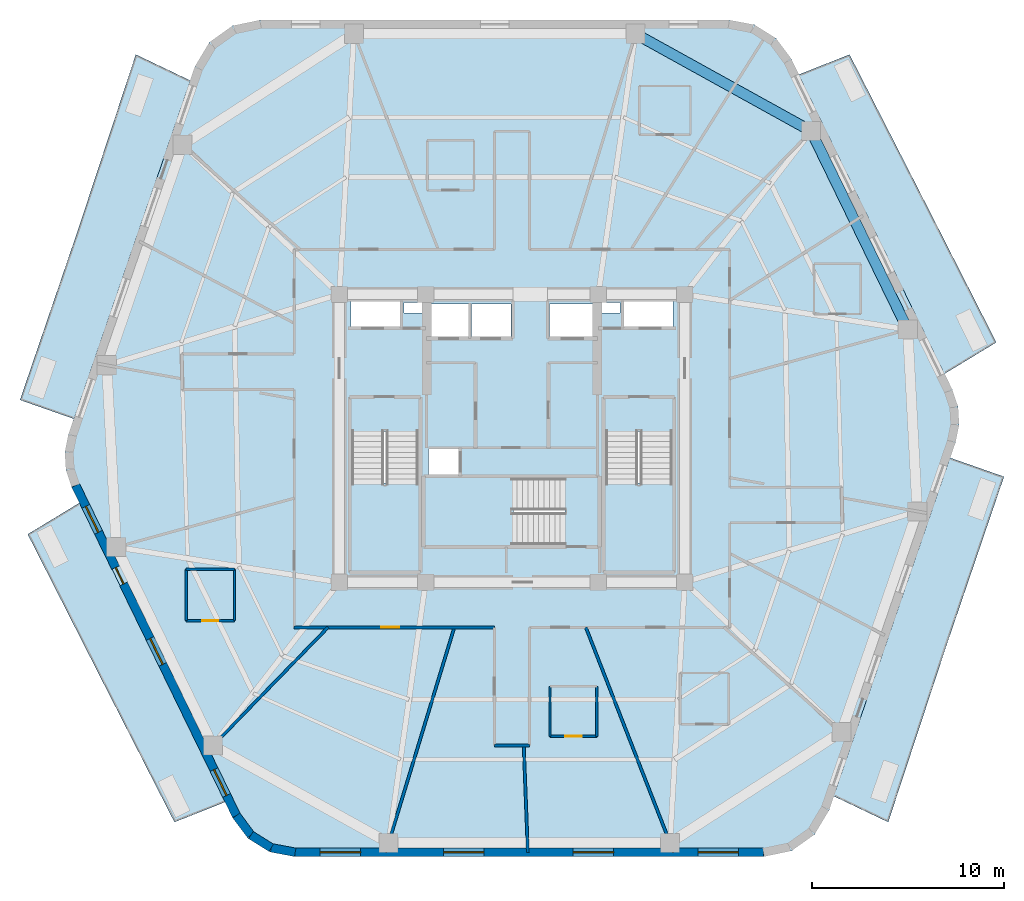
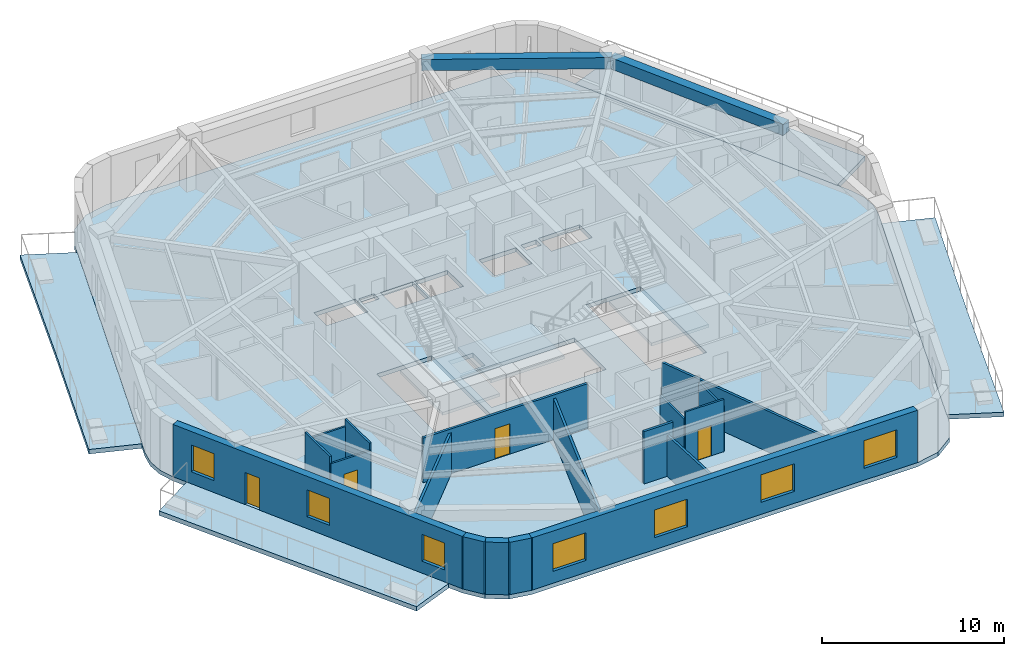
# One storey, part 2 of 9: 18 walls, 8 slabs, 7 windows, 4 doors, 2 beams, 11 openings, 3 elements without a shape of their own.
"""IFC4 building model written with IfcOpenShell, lengths in metres."""

from ifc_helpers import new_model, si_unit, direction, frame, frame_2d, origin, origin_2d, place, context, subcontext, project, spatial, polyline, rectangle, outline, extrude, material, layer, layer_set, material_profile, profile_set, type_object, element, fill, aggregate, save


model = new_model("IFC4")

# Units and contexts
model_context = context("Model", 3, precision=1e-05, world=origin(), true_north=direction((0.0, 1.0)))
body_context = subcontext(model_context, "Body", "Model", "MODEL_VIEW")
ifc_project = project(units=[si_unit("LENGTHUNIT", "METRE"), si_unit("AREAUNIT", "SQUARE_METRE"), si_unit("VOLUMEUNIT", "CUBIC_METRE"), si_unit("PLANEANGLEUNIT", "RADIAN"), si_unit("MASSUNIT", "GRAM", prefix="KILO")], contexts=[model_context])

# Site, building, storey
site_placement = place(None, origin())
site = spatial("IfcSite", under=ifc_project, at=site_placement, CompositionType="ELEMENT")
building_placement = place(site_placement, origin())
building = spatial("IfcBuilding", under=site, at=building_placement, Name="Kilnhurst Terrace Hotel", CompositionType="ELEMENT")
storey_placement = place(building_placement, frame((0.0, 0.0, 233.10009765625)))
storey = spatial("IfcBuildingStorey", under=building, at=storey_placement, Name="L58", CompositionType="ELEMENT", Elevation=233.10009765625)

# Beams
ifc_material_1 = material(Name="Concrete C50/60", Category="concrete")
ifc_material_profile = material_profile(ifc_material_1, rectangle(XDim=0.550048828125, YDim=0.75, at=origin_2d()), Name="RC550X750")
ifc_profile_set = profile_set([ifc_material_profile], Name="Concrete C50/60")
beam_type = type_object("IfcBeamType", Name="BM-SPN-550X750", PredefinedType="SPANDREL", material=ifc_profile_set)
beam_1_placement = place(storey_placement, frame((20.6220703125, 5.669921875, 3.125), z_axis=(-0.437705964683, 0.899118172701, 0.0), x_axis=(-0.899118172701, -0.437705964683, 0.0)))
element("IfcBeam", 1, at=beam_1_placement, inside=storey, type_object=beam_type, Name="L58 Perimeter Spandrel Beam 5", PredefinedType="SPANDREL", context=body_context, shape_type="SweptSolid", body=[
    extrude(rectangle(XDim=0.550048828125, YDim=0.75, at=origin_2d()), origin(), (0.0, 0.0, 1.0), 11.50341796875),
])
beam_2_placement = place(storey_placement, frame((15.5869140625, 16.012939453125, 3.125), z_axis=(-0.874970333121, 0.484176534085, 0.0), x_axis=(-0.484176534085, -0.874970333121, 0.0)))
element("IfcBeam", 2, at=beam_2_placement, inside=storey, type_object=beam_type, Name="L58 Perimeter Spandrel Beam 6", PredefinedType="SPANDREL", context=body_context, shape_type="SweptSolid", body=[
    extrude(rectangle(XDim=0.550048828125, YDim=0.75, at=origin_2d()), origin(), (0.0, 0.0, 1.0), 10.465576171875),
])

# Slabs
ifc_layer_1 = layer(ifc_material_1, 0.300048828125, Name="Concrete C50/60")
ifc_layer_set_1 = layer_set([ifc_layer_1], Name="Concrete C50/60")
slab_type_1 = type_object("IfcSlabType", Name="SLB-BAL-300", PredefinedType="FLOOR", material=ifc_layer_set_1)
slab_1_placement = place(storey_placement, frame((0.0, 0.0, -0.300048828125)))
element("IfcSlab", 3, at=slab_1_placement, inside=storey, type_object=slab_type_1, Name="L58 Cantilevered Planted Terrace Slab BAL-L1A", PredefinedType="FLOOR", context=body_context, shape_type="SweptSolid", body=[
    extrude(outline(polyline([(22.650146484375, -10.76171875), (19.604736328125, -20.0), (16.75830078125, -18.64208984375), (22.8193359375, -1.010498046875), (25.638916015625, -2.0), (22.650146484375, -10.76171875)])), origin(), (0.0, 0.0, 1.0), 0.300048828125),
])
slab_2_placement = place(storey_placement, frame((0.0, 0.0, -0.300048828125)))
element("IfcSlab", 4, at=slab_2_placement, inside=storey, type_object=slab_type_1, Name="L58 Cantilevered Planted Terrace Slab BAL-L1B", PredefinedType="FLOOR", context=body_context, shape_type="SweptSolid", body=[
    extrude(outline(polyline([(25.237548828125, 5.0), (22.527587890625, 3.356201171875), (14.93505859375, 18.95068359375), (17.5888671875, 20.0), (21.440185546875, 12.465576171875), (25.237548828125, 5.0)])), origin(), (0.0, 0.0, 1.0), 0.300048828125),
])
slab_3_placement = place(storey_placement, frame((0.0, 0.0, -0.300048828125)))
element("IfcSlab", 5, at=slab_3_placement, inside=storey, type_object=slab_type_1, Name="L58 Cantilevered Planted Terrace Slab BAL-L2A", PredefinedType="FLOOR", context=body_context, shape_type="SweptSolid", body=[
    extrude(outline(polyline([(-19.604736328125, 20.0), (-16.75830078125, 18.64208984375), (-22.8193359375, 1.010498046875), (-25.638916015625, 2.0), (-22.650146484375, 10.76171875), (-19.604736328125, 20.0)])), origin(), (0.0, 0.0, 1.0), 0.300048828125),
])
slab_4_placement = place(storey_placement, frame((0.0, 0.0, -0.300048828125)))
element("IfcSlab", 6, at=slab_4_placement, inside=storey, type_object=slab_type_1, Name="L58 Cantilevered Planted Terrace Slab BAL-L2B", PredefinedType="FLOOR", context=body_context, shape_type="SweptSolid", body=[
    extrude(outline(polyline([(-25.237548828125, -5.0), (-22.527587890625, -3.356201171875), (-14.93505859375, -18.95068359375), (-17.5888671875, -20.0), (-21.440185546875, -12.465576171875), (-25.237548828125, -5.0)])), origin(), (0.0, 0.0, 1.0), 0.300048828125),
])
ifc_layer_2 = layer(ifc_material_1, 0.280029296875, Name="Concrete C50/60")
ifc_layer_set_2 = layer_set([ifc_layer_2], Name="Concrete C50/60")
slab_type_2 = type_object("IfcSlabType", Name="SLB-FLR-280", PredefinedType="FLOOR", material=ifc_layer_set_2)
slab_5_placement = place(storey_placement, frame((0.0, 0.0, -0.280029296875)))
element("IfcSlab", 7, at=slab_5_placement, inside=storey, type_object=slab_type_2, Name="L58 Structural Floor Slab", PredefinedType="FLOOR", context=body_context, shape_type="SweptSolid", body=[
    extrude(outline(polyline([(-14.555419921875, -19.77587890625), (-13.759765625, -20.845947265625), (-12.629150390625, -21.552978515625), (-11.318603515625, -21.800048828125), (13.124755859375, -21.800048828125), (14.5703125, -21.4970703125), (15.772705078125, -20.638916015625), (16.529296875, -19.370361328125), (23.1162109375, -0.208740234375), (23.302978515625, 0.710693359375), (23.24560546875, 1.6474609375), (22.948486328125, 2.537353515625), (14.555419921875, 19.77587890625), (13.759765625, 20.845947265625), (12.629150390625, 21.552978515625), (11.318603515625, 21.800048828125), (-13.124755859375, 21.800048828125), (-14.5703125, 21.4970703125), (-15.772705078125, 20.638916015625), (-16.529296875, 19.370361328125), (-23.1162109375, 0.208740234375), (-23.302978515625, -0.710693359375), (-23.24560546875, -1.6474609375), (-22.948486328125, -2.537353515625), (-14.555419921875, -19.77587890625)]), holes=[polyline([(-8.35009765625, 0.35498046875), (-4.8798828125, 0.35498046875), (-4.8798828125, -6.89990234375), (-8.35009765625, -6.89990234375), (-8.35009765625, 0.35498046875)]), polyline([(-2.800048828125, -1.89990234375), (-4.35009765625, -1.89990234375), (-4.35009765625, -0.550048828125), (-2.800048828125, -0.550048828125), (-2.800048828125, -1.89990234375)]), polyline([(-2.25, 5.25), (-4.300048828125, 5.25), (-4.300048828125, 7.0), (-2.25, 7.0), (-2.25, 5.25)]), polyline([(-2.1201171875, 5.25), (-2.1201171875, 7.0), (-0.050048828125, 7.0), (-0.050048828125, 5.25), (-2.1201171875, 5.25)]), polyline([(-8.39990234375, 5.75), (-8.39990234375, 7.14990234375), (-5.800048828125, 7.14990234375), (-5.800048828125, 5.75), (-8.39990234375, 5.75)]), polyline([(-4.659912109375, 6.52001953125), (-5.6201171875, 6.52001953125), (-5.6201171875, 7.080078125), (-4.659912109375, 7.080078125), (-4.659912109375, 6.52001953125)]), polyline([(2.7548828125, -5.550048828125), (-4.5, -5.550048828125), (-4.5, -2.080078125), (2.7548828125, -2.080078125), (2.7548828125, -5.550048828125)]), polyline([(8.35009765625, 0.35498046875), (8.35009765625, -6.89990234375), (4.8798828125, -6.89990234375), (4.8798828125, 0.35498046875), (8.35009765625, 0.35498046875)]), polyline([(4.300048828125, 5.25), (1.949951171875, 5.25), (1.949951171875, 7.0), (4.300048828125, 7.0), (4.300048828125, 5.25)]), polyline([(5.800048828125, 5.75), (5.800048828125, 7.14990234375), (8.39990234375, 7.14990234375), (8.39990234375, 5.75), (5.800048828125, 5.75)]), polyline([(4.659912109375, 6.52001953125), (4.659912109375, 7.080078125), (5.6201171875, 7.080078125), (5.6201171875, 6.52001953125), (4.659912109375, 6.52001953125)])]), origin(), (0.0, 0.0, 1.0), 0.280029296875),
])

# Stair, slab
stair_type = type_object("IfcStairType", Name="STR-CORE-1660", PredefinedType="HALF_TURN_STAIR", material=ifc_material_1)
stair_1_placement = place(storey_placement, origin())
stair_1 = element("IfcStair", 8, at=stair_1_placement, inside=storey, type_object=stair_type, Name="L58 ST-1", PredefinedType="HALF_TURN_STAIR")
ifc_layer_3 = layer(ifc_material_1, 0.199951171875, Name="Concrete C50/60")
ifc_layer_set_3 = layer_set([ifc_layer_3], Name="Concrete C50/60")
slab_type_3 = type_object("IfcSlabType", Name="SLB-ST-LND-200", PredefinedType="LANDING", material=ifc_layer_set_3)
slab_6_placement = place(storey_placement, frame((0.0, 0.0, 1.699951171875)))
slab_6 = element("IfcSlab", 9, at=slab_6_placement, type_object=slab_type_3, Name="ST-1 landing 1", PredefinedType="LANDING", context=body_context, shape_type="SweptSolid", body=[
    extrude(outline(polyline([(-8.429931640625, -2.330078125), (-4.800048828125, -2.330078125), (-4.800048828125, -6.97998046875), (-8.429931640625, -6.97998046875), (-8.429931640625, -2.330078125)])), origin(), (0.0, 0.0, 1.0), 0.199951171875),
])
aggregate(stair_1, [slab_6])

stair_2_placement = place(storey_placement, origin())
stair_2 = element("IfcStair", 10, at=stair_2_placement, inside=storey, type_object=stair_type, Name="L58 ST-2", PredefinedType="HALF_TURN_STAIR")
slab_7_placement = place(storey_placement, frame((0.0, 0.0, 1.699951171875)))
slab_7 = element("IfcSlab", 11, at=slab_7_placement, type_object=slab_type_3, Name="ST-2 landing 1", PredefinedType="LANDING", context=body_context, shape_type="SweptSolid", body=[
    extrude(outline(polyline([(4.800048828125, -2.330078125), (8.429931640625, -2.330078125), (8.429931640625, -6.97998046875), (4.800048828125, -6.97998046875), (4.800048828125, -2.330078125)])), origin(), (0.0, 0.0, 1.0), 0.199951171875),
])
aggregate(stair_2, [slab_7])

stair_3_placement = place(storey_placement, origin())
stair_3 = element("IfcStair", 12, at=stair_3_placement, inside=storey, type_object=stair_type, Name="L58 ST-3", PredefinedType="HALF_TURN_STAIR")
slab_8_placement = place(storey_placement, frame((0.0, 0.0, 1.699951171875)))
slab_8 = element("IfcSlab", 13, at=slab_8_placement, type_object=slab_type_3, Name="ST-3 landing 1", PredefinedType="LANDING", context=body_context, shape_type="SweptSolid", body=[
    extrude(outline(polyline([(0.070068359375, -2.0), (0.070068359375, -5.6298828125), (-4.580078125, -5.6298828125), (-4.580078125, -2.0), (0.070068359375, -2.0)])), origin(), (0.0, 0.0, 1.0), 0.199951171875),
])
aggregate(stair_3, [slab_8])

# Walls
ifc_material_2 = material(Name="Precast concrete C40/50", Category="concrete")
ifc_layer_4 = layer(ifc_material_2, 0.449951171875, Name="Precast concrete C40/50")
ifc_layer_set_4 = layer_set([ifc_layer_4], Name="Precast concrete C40/50")
wall_type_1 = type_object("IfcWallType", Name="WL-BRK-450", PredefinedType="SOLIDWALL", material=ifc_layer_set_4)
wall_1_placement = place(storey_placement, frame((-14.3623046875, -19.658447265625, 0.0), z_axis=(0.0, 0.0, 1.0), x_axis=(0.596642462792, -0.80250717853, 0.0)))
element("IfcWall", 14, at=wall_1_placement, inside=storey, type_object=wall_type_1, Name="L58 Rounded Corner Brick Wall C1.1", PredefinedType="SOLIDWALL", context=body_context, shape_type="SweptSolid", body=[
    extrude(rectangle(XDim=1.27001953125, YDim=0.449951171875, at=frame_2d((0.635009765625, 0.0))), origin(), (0.0, 0.0, 1.0), 3.5),
])
wall_2_placement = place(storey_placement, frame((-13.6044921875, -20.677734375, 0.0), z_axis=(0.0, 0.0, 1.0), x_axis=(0.847910404124, -0.53013955387, 0.0)))
element("IfcWall", 15, at=wall_2_placement, inside=storey, type_object=wall_type_1, Name="L58 Rounded Corner Brick Wall C1.2", PredefinedType="SOLIDWALL", context=body_context, shape_type="SweptSolid", body=[
    extrude(rectangle(XDim=1.24853515625, YDim=0.449951171875, at=frame_2d((0.624267578125, 0.0))), origin(), (0.0, 0.0, 1.0), 3.5),
])
wall_3_placement = place(storey_placement, frame((-12.5458984375, -21.339599609375, 0.0), z_axis=(0.0, 0.0, 1.0), x_axis=(0.982686750835, -0.18527479519, 0.0)))
element("IfcWall", 16, at=wall_3_placement, inside=storey, type_object=wall_type_1, Name="L58 Rounded Corner Brick Wall C1.3", PredefinedType="SOLIDWALL", context=body_context, shape_type="SweptSolid", body=[
    extrude(rectangle(XDim=1.270263671875, YDim=0.449951171875, at=frame_2d((0.63525390625, 0.0))), origin(), (0.0, 0.0, 1.0), 3.5),
])

# Wall, openings, windows
wall_4_placement = place(storey_placement, frame((-11.297607421875, -21.574951171875, 0.0), z_axis=(0.0, 0.0, 1.0), x_axis=(1.0, 0.0, 0.0)))
wall_4 = element("IfcWall", 17, at=wall_4_placement, inside=storey, type_object=wall_type_1, Name="L58 Exterior Brick Facade Wall F1", PredefinedType="SOLIDWALL", context=body_context, shape_type="SweptSolid", body=[
    extrude(rectangle(XDim=24.399169921875, YDim=0.449951171875, at=frame_2d((12.19970703125, 0.0))), origin(), (0.0, 0.0, 1.0), 3.5),
])
opening_1_placement = place(wall_4_placement, frame((1.303955078125, 0.0, 0.800048828125)))
opening_1 = element("IfcOpeningElement", 18, at=opening_1_placement, cuts=wall_4, Name="Opening W-04", PredefinedType="OPENING", context=body_context, shape_type="SweptSolid", body=[
    extrude(rectangle(XDim=2.10009765625, YDim=1.85009765625, at=frame_2d((1.050048828125, 0.925048828125))), frame((0.0, 0.23486328125, 0.0), z_axis=(0.0, -1.0, 0.0), x_axis=(1.0, 0.0, 0.0)), (0.0, 0.0, 1.0), 0.469970703125),
])
opening_2_placement = place(wall_4_placement, frame((7.735107421875, 0.0, 0.800048828125)))
opening_2 = element("IfcOpeningElement", 19, at=opening_2_placement, cuts=wall_4, Name="Opening W-04", PredefinedType="OPENING", context=body_context, shape_type="SweptSolid", body=[
    extrude(rectangle(XDim=2.10009765625, YDim=1.85009765625, at=frame_2d((1.050048828125, 0.925048828125))), frame((0.0, 0.23486328125, 0.0), z_axis=(0.0, -1.0, 0.0), x_axis=(1.0, 0.0, 0.0)), (0.0, 0.0, 1.0), 0.469970703125),
])
opening_3_placement = place(wall_4_placement, frame((14.488037109375, 0.0, 0.800048828125)))
opening_3 = element("IfcOpeningElement", 20, at=opening_3_placement, cuts=wall_4, Name="Opening W-04", PredefinedType="OPENING", context=body_context, shape_type="SweptSolid", body=[
    extrude(rectangle(XDim=2.10009765625, YDim=1.85009765625, at=frame_2d((1.050048828125, 0.925048828125))), frame((0.0, 0.23486328125, 0.0), z_axis=(0.0, -1.0, 0.0), x_axis=(1.0, 0.0, 0.0)), (0.0, 0.0, 1.0), 0.469970703125),
])
opening_4_placement = place(wall_4_placement, frame((20.99609375, 0.0, 0.800048828125)))
opening_4 = element("IfcOpeningElement", 21, at=opening_4_placement, cuts=wall_4, Name="Opening W-04", PredefinedType="OPENING", context=body_context, shape_type="SweptSolid", body=[
    extrude(rectangle(XDim=2.10009765625, YDim=1.85009765625, at=frame_2d((1.050048828125, 0.925048828125))), frame((0.0, 0.23486328125, 0.0), z_axis=(0.0, -1.0, 0.0), x_axis=(1.0, 0.0, 0.0)), (0.0, 0.0, 1.0), 0.469970703125),
])
ifc_material_3 = material(Name="Thermally Broken Bronze Aluminium Alloy 6063-T6 and Low-E Glass", Category="aluminium")
window_type_1 = type_object("IfcWindowType", Name="WIN-2100X1850", PartitioningType="SINGLE_PANEL", PredefinedType="WINDOW", material=ifc_material_3)
window_1_placement = place(opening_1_placement, origin())
window_1 = element("IfcWindow", 22, at=window_1_placement, inside=storey, type_object=window_type_1, Name="L58 Deep-Set Masonry Window F1.1", OverallHeight=1.85009765625, OverallWidth=2.10009765625, PartitioningType="SINGLE_PANEL", PredefinedType="WINDOW", context=body_context, shape_type="SweptSolid", body=[
    extrude(rectangle(XDim=2.10009765625, YDim=1.85009765625, at=frame_2d((1.050048828125, 0.925048828125))), frame((0.0, 0.030029296875, 0.0), z_axis=(0.0, -1.0, 0.0), x_axis=(1.0, 0.0, 0.0)), (0.0, 0.0, 1.0), 0.06005859375),
])
fill(opening_1, window_1)
window_2_placement = place(opening_2_placement, origin())
window_2 = element("IfcWindow", 23, at=window_2_placement, inside=storey, type_object=window_type_1, Name="L58 Deep-Set Masonry Window F1.2", OverallHeight=1.85009765625, OverallWidth=2.10009765625, PartitioningType="SINGLE_PANEL", PredefinedType="WINDOW", context=body_context, shape_type="SweptSolid", body=[
    extrude(rectangle(XDim=2.10009765625, YDim=1.85009765625, at=frame_2d((1.050048828125, 0.925048828125))), frame((0.0, 0.030029296875, 0.0), z_axis=(0.0, -1.0, 0.0), x_axis=(1.0, 0.0, 0.0)), (0.0, 0.0, 1.0), 0.06005859375),
])
fill(opening_2, window_2)
window_3_placement = place(opening_3_placement, origin())
window_3 = element("IfcWindow", 24, at=window_3_placement, inside=storey, type_object=window_type_1, Name="L58 Deep-Set Masonry Window F1.3", OverallHeight=1.85009765625, OverallWidth=2.10009765625, PartitioningType="SINGLE_PANEL", PredefinedType="WINDOW", context=body_context, shape_type="SweptSolid", body=[
    extrude(rectangle(XDim=2.10009765625, YDim=1.85009765625, at=frame_2d((1.050048828125, 0.925048828125))), frame((0.0, 0.030029296875, 0.0), z_axis=(0.0, -1.0, 0.0), x_axis=(1.0, 0.0, 0.0)), (0.0, 0.0, 1.0), 0.06005859375),
])
fill(opening_3, window_3)
window_4_placement = place(opening_4_placement, origin())
window_4 = element("IfcWindow", 25, at=window_4_placement, inside=storey, type_object=window_type_1, Name="L58 Deep-Set Masonry Window F1.4", OverallHeight=1.85009765625, OverallWidth=2.10009765625, PartitioningType="SINGLE_PANEL", PredefinedType="WINDOW", context=body_context, shape_type="SweptSolid", body=[
    extrude(rectangle(XDim=2.10009765625, YDim=1.85009765625, at=frame_2d((1.050048828125, 0.925048828125))), frame((0.0, 0.030029296875, 0.0), z_axis=(0.0, -1.0, 0.0), x_axis=(1.0, 0.0, 0.0)), (0.0, 0.0, 1.0), 0.06005859375),
])
fill(opening_4, window_4)

# Wall, openings, door, windows
wall_5_placement = place(storey_placement, frame((-22.73974609375, -2.4521484375, 0.0), z_axis=(0.0, 0.0, 1.0), x_axis=(0.437753424814, -0.899095066755, 0.0)))
wall_5 = element("IfcWall", 26, at=wall_5_placement, inside=storey, type_object=wall_type_1, Name="L58 Exterior Brick Facade Wall F6", PredefinedType="SOLIDWALL", context=body_context, shape_type="SweptSolid", body=[
    extrude(rectangle(XDim=19.137451171875, YDim=0.449951171875, at=frame_2d((9.56884765625, 0.0))), origin(), (0.0, 0.0, 1.0), 3.5),
])
opening_5_placement = place(wall_5_placement, frame((4.762939453125, 0.0, 0.0)))
opening_5 = element("IfcOpeningElement", 27, at=opening_5_placement, cuts=wall_5, Name="Opening BD-950", PredefinedType="OPENING", context=body_context, shape_type="SweptSolid", body=[
    extrude(rectangle(XDim=0.949951171875, YDim=2.14990234375, at=frame_2d((0.47509765625, 1.074951171875))), frame((0.0, 0.23486328125, 0.0), z_axis=(0.0, -1.0, 0.0), x_axis=(1.0, 0.0, 0.0)), (0.0, 0.0, 1.0), 0.469970703125),
])
opening_6_placement = place(wall_5_placement, frame((1.216064453125, 0.0, 0.800048828125)))
opening_6 = element("IfcOpeningElement", 28, at=opening_6_placement, cuts=wall_5, Name="Opening W-02", PredefinedType="OPENING", context=body_context, shape_type="SweptSolid", body=[
    extrude(rectangle(XDim=1.5, YDim=1.800048828125, at=frame_2d((0.75, 0.89990234375))), frame((0.0, 0.23486328125, 0.0), z_axis=(0.0, -1.0, 0.0), x_axis=(1.0, 0.0, 0.0)), (0.0, 0.0, 1.0), 0.469970703125),
])
opening_7_placement = place(wall_5_placement, frame((8.8701171875, 0.0, 0.800048828125)))
opening_7 = element("IfcOpeningElement", 29, at=opening_7_placement, cuts=wall_5, Name="Opening W-02", PredefinedType="OPENING", context=body_context, shape_type="SweptSolid", body=[
    extrude(rectangle(XDim=1.5, YDim=1.800048828125, at=frame_2d((0.75, 0.89990234375))), frame((0.0, 0.23486328125, 0.0), z_axis=(0.0, -1.0, 0.0), x_axis=(1.0, 0.0, 0.0)), (0.0, 0.0, 1.0), 0.469970703125),
])
opening_8_placement = place(wall_5_placement, frame((16.472900390625, 0.0, 0.800048828125)))
opening_8 = element("IfcOpeningElement", 30, at=opening_8_placement, cuts=wall_5, Name="Opening W-02", PredefinedType="OPENING", context=body_context, shape_type="SweptSolid", body=[
    extrude(rectangle(XDim=1.5, YDim=1.800048828125, at=frame_2d((0.75, 0.89990234375))), frame((0.0, 0.23486328125, 0.0), z_axis=(0.0, -1.0, 0.0), x_axis=(1.0, 0.0, 0.0)), (0.0, 0.0, 1.0), 0.469970703125),
])
ifc_material_4 = material(Name="Thermally Broken Bronze Aluminium Alloy 6063-T6 and Laminated Glass", Category="aluminium")
door_type_1 = type_object("IfcDoorType", Name="DR-EXT-BAL-950", OperationType="NOTDEFINED", PredefinedType="DOOR", material=ifc_material_4)
door_1_placement = place(opening_5_placement, origin())
door_1 = element("IfcDoor", 31, at=door_1_placement, inside=storey, type_object=door_type_1, Name="L58 Planted Balcony Door BAL-L2B", OperationType="SINGLE_SWING_RIGHT", OverallHeight=2.14990234375, OverallWidth=0.949951171875, PredefinedType="DOOR", context=body_context, shape_type="SweptSolid", body=[
    extrude(rectangle(XDim=0.949951171875, YDim=2.14990234375, at=frame_2d((0.47509765625, 1.074951171875))), frame((0.0, 0.02490234375, 0.0), z_axis=(0.0, -1.0, 0.0), x_axis=(1.0, 0.0, 0.0)), (0.0, 0.0, 1.0), 0.050048828125),
])
fill(opening_5, door_1)
window_type_2 = type_object("IfcWindowType", Name="WIN-1500X1800", PartitioningType="SINGLE_PANEL", PredefinedType="WINDOW", material=ifc_material_3)
window_5_placement = place(opening_6_placement, origin())
window_5 = element("IfcWindow", 32, at=window_5_placement, inside=storey, type_object=window_type_2, Name="L58 Deep-Set Masonry Window F6.1", OverallHeight=1.800048828125, OverallWidth=1.5, PartitioningType="SINGLE_PANEL", PredefinedType="WINDOW", context=body_context, shape_type="SweptSolid", body=[
    extrude(rectangle(XDim=1.5, YDim=1.800048828125, at=frame_2d((0.75, 0.89990234375))), frame((0.0, 0.030029296875, 0.0), z_axis=(0.0, -1.0, 0.0), x_axis=(1.0, 0.0, 0.0)), (0.0, 0.0, 1.0), 0.06005859375),
])
fill(opening_6, window_5)
window_6_placement = place(opening_7_placement, origin())
window_6 = element("IfcWindow", 33, at=window_6_placement, inside=storey, type_object=window_type_2, Name="L58 Deep-Set Masonry Window F6.2", OverallHeight=1.800048828125, OverallWidth=1.5, PartitioningType="SINGLE_PANEL", PredefinedType="WINDOW", context=body_context, shape_type="SweptSolid", body=[
    extrude(rectangle(XDim=1.5, YDim=1.800048828125, at=frame_2d((0.75, 0.89990234375))), frame((0.0, 0.030029296875, 0.0), z_axis=(0.0, -1.0, 0.0), x_axis=(1.0, 0.0, 0.0)), (0.0, 0.0, 1.0), 0.06005859375),
])
fill(opening_7, window_6)
window_7_placement = place(opening_8_placement, origin())
window_7 = element("IfcWindow", 34, at=window_7_placement, inside=storey, type_object=window_type_2, Name="L58 Deep-Set Masonry Window F6.3", OverallHeight=1.800048828125, OverallWidth=1.5, PartitioningType="SINGLE_PANEL", PredefinedType="WINDOW", context=body_context, shape_type="SweptSolid", body=[
    extrude(rectangle(XDim=1.5, YDim=1.800048828125, at=frame_2d((0.75, 0.89990234375))), frame((0.0, 0.030029296875, 0.0), z_axis=(0.0, -1.0, 0.0), x_axis=(1.0, 0.0, 0.0)), (0.0, 0.0, 1.0), 0.06005859375),
])
fill(opening_8, window_7)

# Wall
ifc_material_5 = material(Name="Acoustic Double-Gypsum Corridor Partition Assembly")
ifc_layer_5 = layer(ifc_material_5, 0.14990234375, Name="Acoustic Double-Gypsum Corridor Partition Assembly")
ifc_layer_set_5 = layer_set([ifc_layer_5], Name="Acoustic Double-Gypsum Corridor Partition Assembly")
wall_type_2 = type_object("IfcWallType", Name="WL-COR-150", PredefinedType="PARTITIONING", material=ifc_layer_set_5)
wall_6_placement = place(storey_placement, frame((0.919921875, -16.0, 0.0), z_axis=(0.0, 0.0, 1.0), x_axis=(-1.0, 0.0, 0.0)))
element("IfcWall", 35, at=wall_6_placement, inside=storey, type_object=wall_type_2, Name="L58 Interior Wall WL-L58-COR-18", PredefinedType="PARTITIONING", context=body_context, shape_type="SweptSolid", body=[
    extrude(rectangle(XDim=1.83984375, YDim=0.14990234375, at=frame_2d((0.919921875, 0.0))), origin(), (0.0, 0.0, 1.0), 3.5),
])

# Wall, opening, door
wall_7_placement = place(storey_placement, frame((-0.919921875, -9.85009765625, 0.0), z_axis=(0.0, 0.0, 1.0), x_axis=(-1.0, 0.0, 0.0)))
wall_7 = element("IfcWall", 36, at=wall_7_placement, inside=storey, type_object=wall_type_2, Name="L58 Interior Wall WL-L58-COR-20", PredefinedType="PARTITIONING", context=body_context, shape_type="SweptSolid", body=[
    extrude(rectangle(XDim=10.43017578125, YDim=0.14990234375, at=frame_2d((5.215087890625, 0.0))), origin(), (0.0, 0.0, 1.0), 2.989990234375),
])
opening_9_placement = place(wall_7_placement, frame((4.948974609375, 0.0, 0.0)))
opening_9 = element("IfcOpeningElement", 37, at=opening_9_placement, cuts=wall_7, Name="Opening D-60B", PredefinedType="OPENING", context=body_context, shape_type="SweptSolid", body=[
    extrude(rectangle(XDim=0.949951171875, YDim=2.030029296875, at=frame_2d((0.47509765625, 1.01513671875))), frame((0.0, 0.0849609375, 0.0), z_axis=(0.0, -1.0, 0.0), x_axis=(1.0, 0.0, 0.0)), (0.0, 0.0, 1.0), 0.169921875),
])
ifc_material_6 = material(Name="Acoustic Walnut Veneer Solid-Core Fire Door")
door_type_2 = type_object("IfcDoorType", Name="DR-FD60-950", OperationType="NOTDEFINED", PredefinedType="DOOR", material=ifc_material_6)
door_2_placement = place(opening_9_placement, origin())
door_2 = element("IfcDoor", 38, at=door_2_placement, inside=storey, type_object=door_type_2, Name="L58 Executive Boardroom Door", OperationType="SINGLE_SWING_LEFT", OverallHeight=2.030029296875, OverallWidth=0.949951171875, PredefinedType="DOOR", context=body_context, shape_type="SweptSolid", body=[
    extrude(rectangle(XDim=0.949951171875, YDim=2.030029296875, at=frame_2d((0.47509765625, 1.01513671875))), frame((0.0, 0.02490234375, 0.0), z_axis=(0.0, -1.0, 0.0), x_axis=(1.0, 0.0, 0.0)), (0.0, 0.0, 1.0), 0.050048828125),
])
fill(opening_9, door_2)

# Walls
ifc_material_7 = material(Name="STC-58 Acoustic Twin-Frame Guestroom Demising Partition")
ifc_layer_6 = layer(ifc_material_7, 0.14990234375, Name="STC-58 Acoustic Twin-Frame Guestroom Demising Partition")
ifc_layer_set_6 = layer_set([ifc_layer_6], Name="STC-58 Acoustic Twin-Frame Guestroom Demising Partition")
wall_type_3 = type_object("IfcWallType", Name="WL-DEM-150", PredefinedType="PARTITIONING", material=ifc_layer_set_6)
wall_8_placement = place(storey_placement, frame((-9.587890625, -9.85009765625, 0.0), z_axis=(0.0, 0.0, 1.0), x_axis=(-0.697519469595, -0.716565830567, 0.0)))
element("IfcWall", 39, at=wall_8_placement, inside=storey, type_object=wall_type_3, Name="L58 Interior Wall WL-L58-DEM-COL08-11-1", PredefinedType="PARTITIONING", context=body_context, shape_type="SweptSolid", body=[
    extrude(rectangle(XDim=9.12646484375, YDim=0.14990234375, at=frame_2d((4.563232421875, 0.0))), origin(), (0.0, 0.0, 1.0), 2.739990234375),
])
wall_9_placement = place(storey_placement, frame((-3.00439453125, -9.85009765625, 0.0), z_axis=(0.0, 0.0, 1.0), x_axis=(-0.291775760688, -0.956486751333, 0.0)))
element("IfcWall", 40, at=wall_9_placement, inside=storey, type_object=wall_type_3, Name="L58 Interior Wall WL-L58-DEM-COL09-12-1", PredefinedType="PARTITIONING", context=body_context, shape_type="SweptSolid", body=[
    extrude(rectangle(XDim=12.25830078125, YDim=0.14990234375, at=frame_2d((6.129150390625, 0.0))), origin(), (0.0, 0.0, 1.0), 2.739990234375),
])
wall_10_placement = place(storey_placement, frame((0.611572265625, -16.0, 0.0), z_axis=(0.0, 0.0, 1.0), x_axis=(0.038202877739, -0.999270003619, 0.0)))
element("IfcWall", 41, at=wall_10_placement, inside=storey, type_object=wall_type_3, Name="L58 Interior Wall WL-L58-DEM-MID09-13-1", PredefinedType="PARTITIONING", context=body_context, shape_type="SweptSolid", body=[
    extrude(rectangle(XDim=5.5791015625, YDim=0.14990234375, at=frame_2d((2.78955078125, 0.0))), origin(), (0.0, 0.0, 1.0), 2.739990234375),
])
wall_11_placement = place(storey_placement, frame((3.848388671875, -9.85009765625, 0.0), z_axis=(0.0, 0.0, 1.0), x_axis=(0.363921778212, -0.931429513889, 0.0)))
element("IfcWall", 42, at=wall_11_placement, inside=storey, type_object=wall_type_3, Name="L58 Interior Wall WL-L58-DEM-COL10-14-1", PredefinedType="PARTITIONING", context=body_context, shape_type="SweptSolid", body=[
    extrude(rectangle(XDim=12.588134765625, YDim=0.14990234375, at=frame_2d((6.2939453125, 0.0))), origin(), (0.0, 0.0, 1.0), 2.739990234375),
])

# Wall, opening, door
ifc_material_8 = material(Name="120 mm Moisture-Resistant Tile-Backed Bathroom Partition")
ifc_layer_7 = layer(ifc_material_8, 0.1201171875, Name="120 mm Moisture-Resistant Tile-Backed Bathroom Partition")
ifc_layer_set_7 = layer_set([ifc_layer_7], Name="120 mm Moisture-Resistant Tile-Backed Bathroom Partition")
wall_type_4 = type_object("IfcWallType", Name="WL-PART-120", PredefinedType="PARTITIONING", material=ifc_layer_set_7)
wall_12_placement = place(storey_placement, frame((-16.97998046875, -9.5048828125, 0.0), z_axis=(0.0, 0.0, 1.0), x_axis=(1.0, 0.0, 0.0)))
wall_12 = element("IfcWall", 43, at=wall_12_placement, inside=storey, type_object=wall_type_4, Name="L58 Interior Wall WL-L58-BTH-10-1", PredefinedType="PARTITIONING", context=body_context, shape_type="SweptSolid", body=[
    extrude(rectangle(XDim=2.52001953125, YDim=0.1201171875, at=frame_2d((1.260009765625, 0.0))), origin(), (0.0, 0.0, 1.0), 3.0263671875),
])
opening_10_placement = place(wall_12_placement, frame((0.8349609375, 0.0, 0.0)))
opening_10 = element("IfcOpeningElement", 44, at=opening_10_placement, cuts=wall_12, Name="Opening D-08A", PredefinedType="OPENING", context=body_context, shape_type="SweptSolid", body=[
    extrude(rectangle(XDim=0.85009765625, YDim=2.030029296875, at=frame_2d((0.425048828125, 1.01513671875))), frame((0.0, 0.070068359375, 0.0), z_axis=(0.0, -1.0, 0.0), x_axis=(1.0, 0.0, 0.0)), (0.0, 0.0, 1.0), 0.14013671875),
])
ifc_material_9 = material(Name="Moisture-Resistant Lacquered En-suite Bathroom Door")
door_type_3 = type_object("IfcDoorType", Name="DR-INT-850", OperationType="NOTDEFINED", PredefinedType="DOOR", material=ifc_material_9)
door_3_placement = place(opening_10_placement, origin())
door_3 = element("IfcDoor", 45, at=door_3_placement, inside=storey, type_object=door_type_3, Name="L58 En-suite Bathroom Door 10", OperationType="SINGLE_SWING_LEFT", OverallHeight=2.030029296875, OverallWidth=0.85009765625, PredefinedType="DOOR", context=body_context, shape_type="SweptSolid", body=[
    extrude(rectangle(XDim=0.85009765625, YDim=2.030029296875, at=frame_2d((0.425048828125, 1.01513671875))), frame((0.0, 0.02490234375, 0.0), z_axis=(0.0, -1.0, 0.0), x_axis=(1.0, 0.0, 0.0)), (0.0, 0.0, 1.0), 0.050048828125),
])
fill(opening_10, door_3)

# Walls
wall_13_placement = place(storey_placement, frame((-14.4599609375, -9.5048828125, 0.0), z_axis=(0.0, 0.0, 1.0), x_axis=(0.0, 1.0, 0.0)))
element("IfcWall", 46, at=wall_13_placement, inside=storey, type_object=wall_type_4, Name="L58 Interior Wall WL-L58-BTH-10-2", PredefinedType="PARTITIONING", context=body_context, shape_type="SweptSolid", body=[
    extrude(rectangle(XDim=2.679931640625, YDim=0.1201171875, at=frame_2d((1.33984375, 0.0))), origin(), (0.0, 0.0, 1.0), 3.5),
])
wall_14_placement = place(storey_placement, frame((-14.4599609375, -6.824951171875, 0.0), z_axis=(0.0, 0.0, 1.0), x_axis=(-1.0, 0.0, 0.0)))
element("IfcWall", 47, at=wall_14_placement, inside=storey, type_object=wall_type_4, Name="L58 Interior Wall WL-L58-BTH-10-3", PredefinedType="PARTITIONING", context=body_context, shape_type="SweptSolid", body=[
    extrude(rectangle(XDim=2.52001953125, YDim=0.1201171875, at=frame_2d((1.260009765625, 0.0))), origin(), (0.0, 0.0, 1.0), 3.0263671875),
])
wall_15_placement = place(storey_placement, frame((-16.97998046875, -6.824951171875, 0.0), z_axis=(0.0, 0.0, 1.0), x_axis=(0.0, -1.0, 0.0)))
element("IfcWall", 48, at=wall_15_placement, inside=storey, type_object=wall_type_4, Name="L58 Interior Wall WL-L58-BTH-10-4", PredefinedType="PARTITIONING", context=body_context, shape_type="SweptSolid", body=[
    extrude(rectangle(XDim=2.679931640625, YDim=0.1201171875, at=frame_2d((1.33984375, 0.0))), origin(), (0.0, 0.0, 1.0), 3.5),
])

# Wall, opening, door
wall_16_placement = place(storey_placement, frame((1.97802734375, -15.530029296875, 0.0), z_axis=(0.0, 0.0, 1.0), x_axis=(1.0, 0.0, 0.0)))
wall_16 = element("IfcWall", 49, at=wall_16_placement, inside=storey, type_object=wall_type_4, Name="L58 Interior Wall WL-L58-BTH-13-1", PredefinedType="PARTITIONING", context=body_context, shape_type="SweptSolid", body=[
    extrude(rectangle(XDim=2.43994140625, YDim=0.1201171875, at=frame_2d((1.219970703125, 0.0))), origin(), (0.0, 0.0, 1.0), 3.5),
])
opening_11_placement = place(wall_16_placement, frame((0.794921875, 0.0, 0.0)))
opening_11 = element("IfcOpeningElement", 50, at=opening_11_placement, cuts=wall_16, Name="Opening D-08A", PredefinedType="OPENING", context=body_context, shape_type="SweptSolid", body=[
    extrude(rectangle(XDim=0.85009765625, YDim=2.030029296875, at=frame_2d((0.425048828125, 1.01513671875))), frame((0.0, 0.070068359375, 0.0), z_axis=(0.0, -1.0, 0.0), x_axis=(1.0, 0.0, 0.0)), (0.0, 0.0, 1.0), 0.14013671875),
])
door_4_placement = place(opening_11_placement, origin())
door_4 = element("IfcDoor", 51, at=door_4_placement, inside=storey, type_object=door_type_3, Name="L58 En-suite Bathroom Door 13", OperationType="SINGLE_SWING_RIGHT", OverallHeight=2.030029296875, OverallWidth=0.85009765625, PredefinedType="DOOR", context=body_context, shape_type="SweptSolid", body=[
    extrude(rectangle(XDim=0.85009765625, YDim=2.030029296875, at=frame_2d((0.425048828125, 1.01513671875))), frame((0.0, 0.02490234375, 0.0), z_axis=(0.0, -1.0, 0.0), x_axis=(1.0, 0.0, 0.0)), (0.0, 0.0, 1.0), 0.050048828125),
])
fill(opening_11, door_4)

# Walls
for number, where, z_axis, x_axis, name in (
    (52, (4.41796875, -15.530029296875, 0.0), (0.0, 0.0, 1.0), (0.0, 1.0, 0.0), "L58 Interior Wall WL-L58-BTH-13-2"),
    (53, (1.97802734375, -12.919921875, 0.0), (0.0, 0.0, 1.0), (0.0, -1.0, 0.0), "L58 Interior Wall WL-L58-BTH-13-4"),
):
    element("IfcWall", number, at=place(storey_placement, frame(where, z_axis=z_axis, x_axis=x_axis)), inside=storey, type_object=wall_type_4, Name=name, PredefinedType="PARTITIONING", context=body_context, shape_type="SweptSolid", body=[
        extrude(rectangle(XDim=2.610107421875, YDim=0.1201171875, at=frame_2d((1.30517578125, 0.0))), origin(), (0.0, 0.0, 1.0), 3.0263671875),
    ])

save(model, "model.ifc")
